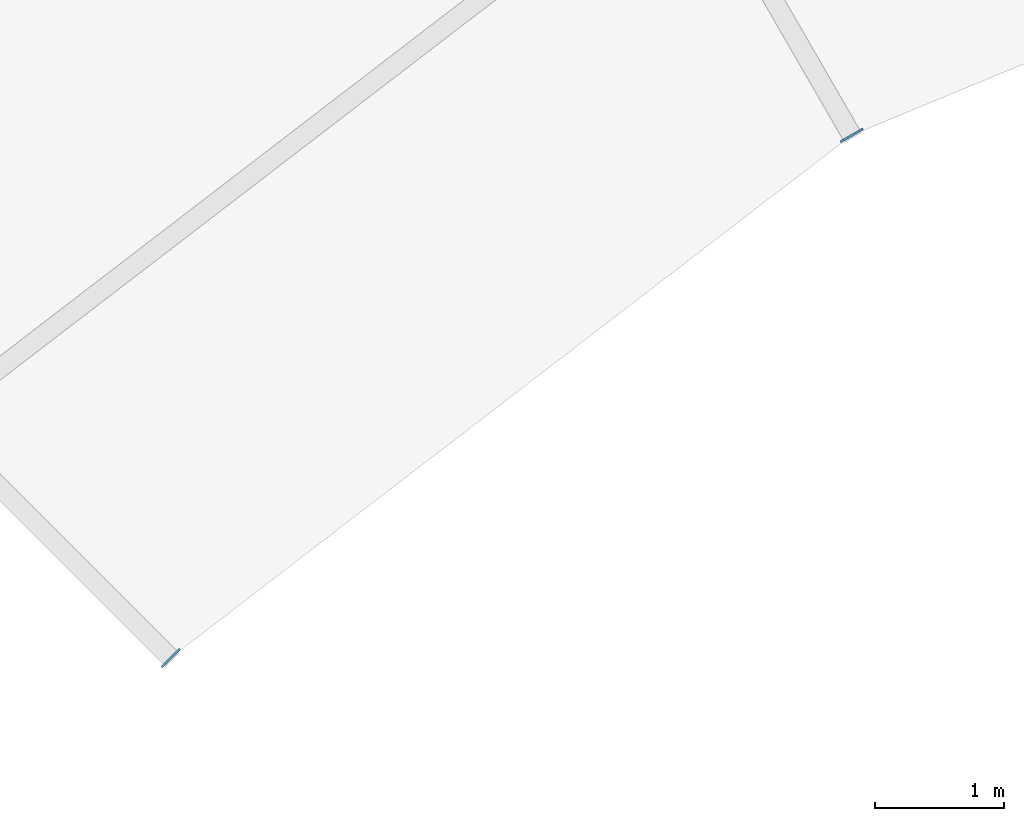
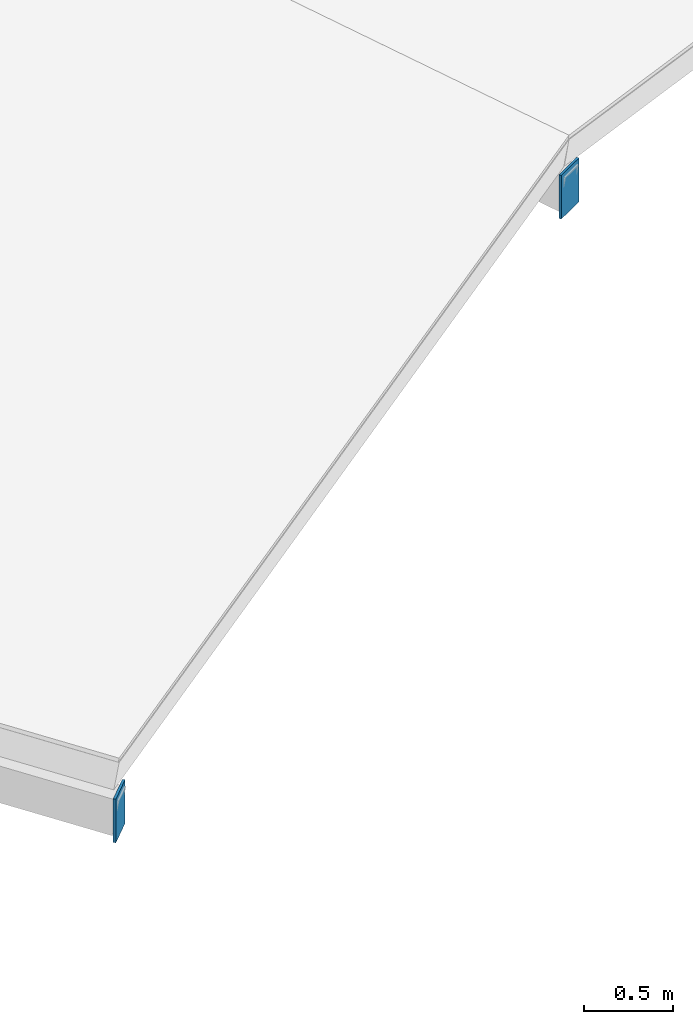
# One storey, part 44 of 70: 2 plates.
"""IFC4 building model written with IfcOpenShell, lengths in metres."""

from ifc_helpers import new_model, si_unit, direction, frame, origin, origin_2d, place, context, subcontext, project, spatial, rectangle, extrude, material, layer, layer_set, type_object, element, save


model = new_model("IFC4")

# Units and contexts
model_context = context("Model", 3, precision=1e-05, world=origin(), true_north=direction((0.0, 1.0)))
body_context = subcontext(model_context, "Body", "Model", "MODEL_VIEW")
ifc_project = project(units=[si_unit("LENGTHUNIT", "METRE"), si_unit("AREAUNIT", "SQUARE_METRE"), si_unit("VOLUMEUNIT", "CUBIC_METRE"), si_unit("PLANEANGLEUNIT", "RADIAN"), si_unit("MASSUNIT", "GRAM", prefix="KILO")], contexts=[model_context])

# Site, building, storey
site_placement = place(None, origin())
site = spatial("IfcSite", under=ifc_project, at=site_placement, CompositionType="ELEMENT")
building_placement = place(site_placement, origin())
building = spatial("IfcBuilding", under=site, at=building_placement, Name="Vondelvale Polytechnic", CompositionType="ELEMENT")
storey_placement = place(building_placement, frame((0.0, 0.0, 22.199951171875)))
storey = spatial("IfcBuildingStorey", under=building, at=storey_placement, Name="L05", CompositionType="ELEMENT", Elevation=22.199951171875)

# Plates
ifc_material = material(Name="Steel Grade 350 (fy = 340 MPa)", Category="steel")
ifc_layer = layer(ifc_material, 0.01611328125)
ifc_layer_set = layer_set([ifc_layer], Name="PLATE-CAP-300x200")
plate_type = type_object("IfcPlateType", Name="PLATE-CAP-300x200", PredefinedType="USERDEFINED", material=ifc_layer_set)
for number, where, z_axis, x_axis, name in (
    (1, (89.300048828125, 93.9970703125, -0.18408203125), (0.0, 0.0, 1.0), (0.5, -0.866025403784, 0.0), "Ring rafter hollow end cap plate 08I"),
    (2, (84.03955078125, 89.96044921875, -0.18408203125), (0.0, 0.0, 1.0), (0.707106781187, -0.707106781187, 0.0), "Ring step rafter end cap plate 08I"),
):
    element("IfcPlate", number, at=place(storey_placement, frame(where, z_axis=z_axis, x_axis=x_axis)), inside=storey, type_object=plate_type, Name=name, ObjectType="CAP_PLATE", PredefinedType="USERDEFINED", context=body_context, shape_type="SweptSolid", body=[
        extrude(rectangle(XDim=0.01611328125, YDim=0.199951171875, at=origin_2d()), origin(), (0.0, 0.0, 1.0), 0.300048828125),
    ])

save(model, "model.ifc")
